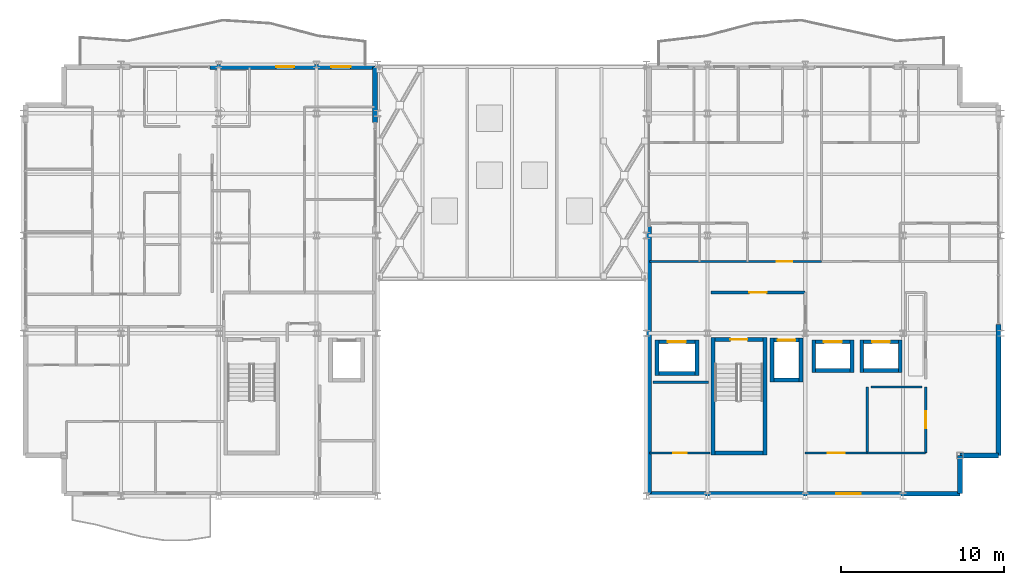
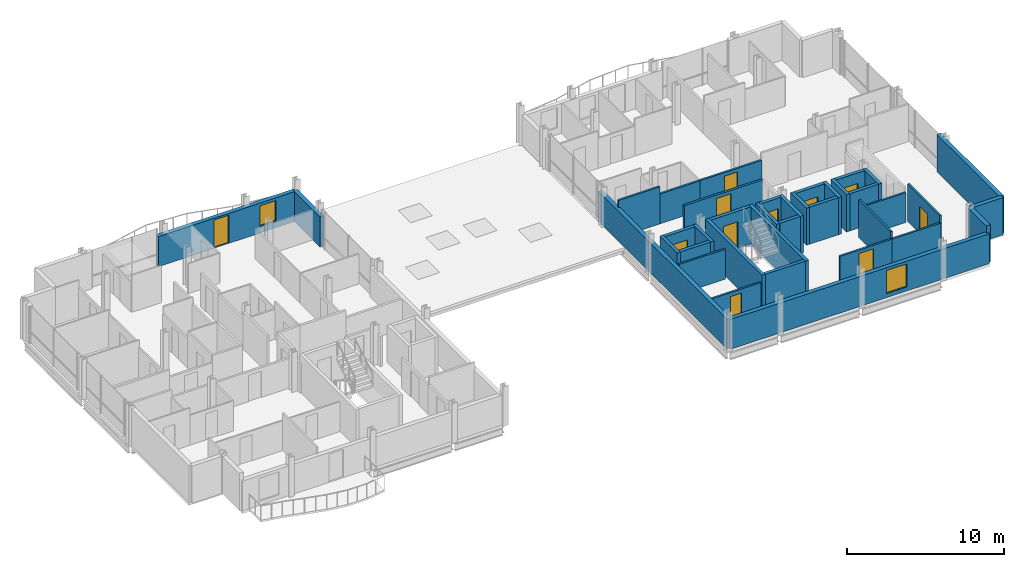
# One storey, part 29 of 33: 38 walls, 11 doors, 2 windows, 13 openings.
"""IFC4 building model written with IfcOpenShell, lengths in metres."""

from ifc_helpers import new_model, si_unit, direction, frame, frame_2d, origin, place, context, subcontext, project, spatial, rectangle, extrude, material, layer, layer_set, type_object, element, fill, save


model = new_model("IFC4")

# Units and contexts
model_context = context("Model", 3, precision=1e-05, world=origin(), true_north=direction((0.0, 1.0)))
body_context = subcontext(model_context, "Body", "Model", "MODEL_VIEW")
ifc_project = project(units=[si_unit("LENGTHUNIT", "METRE"), si_unit("AREAUNIT", "SQUARE_METRE"), si_unit("VOLUMEUNIT", "CUBIC_METRE"), si_unit("PLANEANGLEUNIT", "RADIAN"), si_unit("MASSUNIT", "GRAM", prefix="KILO")], contexts=[model_context])

# Site, building, storey
site_placement = place(None, origin())
site = spatial("IfcSite", under=ifc_project, at=site_placement, CompositionType="ELEMENT")
building_placement = place(site_placement, origin())
building = spatial("IfcBuilding", under=site, at=building_placement, Name="Brevholm Reach", CompositionType="ELEMENT")
storey_placement = place(building_placement, frame((0.0, 0.0, 189.39990234375)))
storey = spatial("IfcBuildingStorey", under=building, at=storey_placement, Name="L57", CompositionType="ELEMENT", Elevation=189.39990234375)

# Walls
ifc_material_1 = material(Name="Concrete C45/55", Category="concrete")
ifc_layer_1 = layer(ifc_material_1, 0.239990234375)
ifc_layer_set_1 = layer_set([ifc_layer_1], Name="Concrete C45/55")
wall_type_1 = type_object("IfcWallType", Name="WAL-COR-240", PredefinedType="SHEAR", material=ifc_layer_set_1)
for number, where, z_axis, x_axis, name in (
    (1, (42.330078125, 2.5400390625, 0.0), (0.0, 0.0, 1.0), (0.0, 1.0, 0.0), "L57 Escape Stair ST-2 Core Wall W"),
    (2, (45.52001953125, 2.5400390625, 0.0), (0.0, 0.0, 1.0), (0.0, 1.0, 0.0), "L57 Escape Stair ST-2 Core Wall E"),
):
    element("IfcWall", number, at=place(storey_placement, frame(where, z_axis=z_axis, x_axis=x_axis)), inside=storey, type_object=wall_type_1, Name=name, PredefinedType="SHEAR", context=body_context, shape_type="SweptSolid", body=[
        extrude(rectangle(XDim=7.199951171875, YDim=0.239990234375, at=frame_2d((3.60009765625, 0.0))), origin(), (0.0, 0.0, 1.0), 2.89013671875),
    ])
wall_1_placement = place(storey_placement, frame((42.449951171875, 2.659912109375, 0.0), z_axis=(0.0, 0.0, 1.0), x_axis=(1.0, 0.0, 0.0)))
element("IfcWall", 3, at=wall_1_placement, inside=storey, type_object=wall_type_1, Name="L57 Escape Stair ST-2 Core Wall S", PredefinedType="SHEAR", context=body_context, shape_type="SweptSolid", body=[
    extrude(rectangle(XDim=2.949951171875, YDim=0.239990234375, at=frame_2d((1.47509765625, 0.0))), origin(), (0.0, 0.0, 1.0), 2.89013671875),
])

# Wall, opening, door
wall_2_placement = place(storey_placement, frame((45.39990234375, 9.6201171875, 0.0), z_axis=(0.0, 0.0, 1.0), x_axis=(-1.0, 0.0, 0.0)))
wall_2 = element("IfcWall", 4, at=wall_2_placement, inside=storey, type_object=wall_type_1, Name="L57 Escape Stair ST-2 Core Wall N", PredefinedType="SHEAR", context=body_context, shape_type="SweptSolid", body=[
    extrude(rectangle(XDim=2.949951171875, YDim=0.239990234375, at=frame_2d((1.47509765625, 0.0))), origin(), (0.0, 0.0, 1.0), 2.89013671875),
])
opening_1_placement = place(wall_2_placement, frame((0.949951171875, 0.0, 0.0)))
opening_1 = element("IfcOpeningElement", 5, at=opening_1_placement, cuts=wall_2, Name="Opening SD-ST-2", PredefinedType="OPENING", context=body_context, shape_type="SweptSolid", body=[
    extrude(rectangle(XDim=1.050048828125, YDim=2.06005859375, at=frame_2d((0.52490234375, 1.030029296875))), frame((0.0, 0.1298828125, 0.0), z_axis=(0.0, -1.0, 0.0), x_axis=(1.0, 0.0, 0.0)), (0.0, 0.0, 1.0), 0.260009765625),
])
ifc_material_2 = material(Name="Hardwood-Lipped Steel-Core Fire and Smoke Door", Category="steel")
door_type_1 = type_object("IfcDoorType", Name="DOR-INT-FD60S", OperationType="NOTDEFINED", PredefinedType="DOOR", material=ifc_material_2)
door_1_placement = place(opening_1_placement, origin())
door_1 = element("IfcDoor", 6, at=door_1_placement, inside=storey, type_object=door_type_1, Name="L57 Protected Stair ST-2 Lobby Door", OperationType="SINGLE_SWING_RIGHT", OverallHeight=2.06005859375, OverallWidth=1.050048828125, PredefinedType="DOOR", context=body_context, shape_type="SweptSolid", body=[
    extrude(rectangle(XDim=1.050048828125, YDim=2.06005859375, at=frame_2d((0.52490234375, 1.030029296875))), frame((0.0, 0.02490234375, 0.0), z_axis=(0.0, -1.0, 0.0), x_axis=(1.0, 0.0, 0.0)), (0.0, 0.0, 1.0), 0.050048828125),
])
fill(opening_1, door_1)

# Walls
for number, where, z_axis, x_axis, name in (
    (7, (45.969970703125, 7.0, 0.0), (0.0, 0.0, 1.0), (0.0, 1.0, 0.0), "L57 Lift FFL-2 Shaft Wall W"),
    (8, (47.72998046875, 7.0, 0.0), (0.0, 0.0, 1.0), (0.0, 1.0, 0.0), "L57 Lift FFL-2 Shaft Wall E"),
):
    element("IfcWall", number, at=place(storey_placement, frame(where, z_axis=z_axis, x_axis=x_axis)), inside=storey, type_object=wall_type_1, Name=name, PredefinedType="SHEAR", context=body_context, shape_type="SweptSolid", body=[
        extrude(rectangle(XDim=2.699951171875, YDim=0.239990234375, at=frame_2d((1.35009765625, 0.0))), origin(), (0.0, 0.0, 1.0), 2.89013671875),
    ])
wall_3_placement = place(storey_placement, frame((46.090087890625, 7.1201171875, 0.0), z_axis=(0.0, 0.0, 1.0), x_axis=(1.0, 0.0, 0.0)))
element("IfcWall", 9, at=wall_3_placement, inside=storey, type_object=wall_type_1, Name="L57 Lift FFL-2 Shaft Wall S", PredefinedType="SHEAR", context=body_context, shape_type="SweptSolid", body=[
    extrude(rectangle(XDim=1.52001953125, YDim=0.239990234375, at=frame_2d((0.760009765625, 0.0))), origin(), (0.0, 0.0, 1.0), 2.89013671875),
])

# Wall, opening, door
wall_4_placement = place(storey_placement, frame((46.090087890625, 9.580078125, 0.0), z_axis=(0.0, 0.0, 1.0), x_axis=(1.0, 0.0, 0.0)))
wall_4 = element("IfcWall", 10, at=wall_4_placement, inside=storey, type_object=wall_type_1, Name="L57 Lift FFL-2 Shaft Wall N", PredefinedType="SHEAR", context=body_context, shape_type="SweptSolid", body=[
    extrude(rectangle(XDim=1.52001953125, YDim=0.239990234375, at=frame_2d((0.760009765625, 0.0))), origin(), (0.0, 0.0, 1.0), 2.89013671875),
])
opening_2_placement = place(wall_4_placement, frame((0.2099609375, 0.0, 0.0)))
opening_2 = element("IfcOpeningElement", 11, at=opening_2_placement, cuts=wall_4, Name="Opening LD-FFL-2", PredefinedType="OPENING", context=body_context, shape_type="SweptSolid", body=[
    extrude(rectangle(XDim=1.10009765625, YDim=2.06005859375, at=frame_2d((0.550048828125, 1.030029296875))), frame((0.0, 0.1298828125, 0.0), z_axis=(0.0, -1.0, 0.0), x_axis=(1.0, 0.0, 0.0)), (0.0, 0.0, 1.0), 0.260009765625),
])
ifc_material_3 = material(Name="Brushed Stainless Steel Fire-Rated Sliding Lift Door", Category="steel")
door_type_2 = type_object("IfcDoorType", Name="DOR-LFT-1100", OperationType="NOTDEFINED", PredefinedType="DOOR", material=ifc_material_3)
door_2_placement = place(opening_2_placement, origin())
door_2 = element("IfcDoor", 12, at=door_2_placement, inside=storey, type_object=door_type_2, Name="L57 Lift FFL-2 Sliding Landing Door", OperationType="SLIDING_TO_RIGHT", OverallHeight=2.06005859375, OverallWidth=1.10009765625, PredefinedType="DOOR", context=body_context, shape_type="SweptSolid", body=[
    extrude(rectangle(XDim=1.10009765625, YDim=2.06005859375, at=frame_2d((0.550048828125, 1.030029296875))), frame((0.0, 0.02490234375, 0.0), z_axis=(0.0, -1.0, 0.0), x_axis=(1.0, 0.0, 0.0)), (0.0, 0.0, 1.0), 0.050048828125),
])
fill(opening_2, door_2)

# Walls
for number, where, z_axis, x_axis, name in (
    (13, (38.889892578125, 7.39990234375, 0.0), (0.0, 0.0, 1.0), (0.0, 1.0, 0.0), "L57 Lift PL-S1 Shaft Wall W"),
    (14, (41.35009765625, 7.39990234375, 0.0), (0.0, 0.0, 1.0), (0.0, 1.0, 0.0), "L57 Lift PL-S1 Shaft Wall E"),
):
    element("IfcWall", number, at=place(storey_placement, frame(where, z_axis=z_axis, x_axis=x_axis)), inside=storey, type_object=wall_type_1, Name=name, PredefinedType="SHEAR", context=body_context, shape_type="SweptSolid", body=[
        extrude(rectangle(XDim=2.2001953125, YDim=0.239990234375, at=frame_2d((1.10009765625, 0.0))), origin(), (0.0, 0.0, 1.0), 2.89013671875),
    ])
wall_5_placement = place(storey_placement, frame((39.010009765625, 7.52001953125, 0.0), z_axis=(0.0, 0.0, 1.0), x_axis=(1.0, 0.0, 0.0)))
element("IfcWall", 15, at=wall_5_placement, inside=storey, type_object=wall_type_1, Name="L57 Lift PL-S1 Shaft Wall S", PredefinedType="SHEAR", context=body_context, shape_type="SweptSolid", body=[
    extrude(rectangle(XDim=2.219970703125, YDim=0.239990234375, at=frame_2d((1.10986328125, 0.0))), origin(), (0.0, 0.0, 1.0), 2.89013671875),
])

# Wall, opening, door
wall_6_placement = place(storey_placement, frame((39.010009765625, 9.47998046875, 0.0), z_axis=(0.0, 0.0, 1.0), x_axis=(1.0, 0.0, 0.0)))
wall_6 = element("IfcWall", 16, at=wall_6_placement, inside=storey, type_object=wall_type_1, Name="L57 Lift PL-S1 Shaft Wall N", PredefinedType="SHEAR", context=body_context, shape_type="SweptSolid", body=[
    extrude(rectangle(XDim=2.219970703125, YDim=0.239990234375, at=frame_2d((1.10986328125, 0.0))), origin(), (0.0, 0.0, 1.0), 2.89013671875),
])
opening_3_placement = place(wall_6_placement, frame((0.56005859375, 0.0, 0.0)))
opening_3 = element("IfcOpeningElement", 17, at=opening_3_placement, cuts=wall_6, Name="Opening LD-PL-S1", PredefinedType="OPENING", context=body_context, shape_type="SweptSolid", body=[
    extrude(rectangle(XDim=1.10009765625, YDim=2.06005859375, at=frame_2d((0.550048828125, 1.030029296875))), frame((0.0, 0.1298828125, 0.0), z_axis=(0.0, -1.0, 0.0), x_axis=(1.0, 0.0, 0.0)), (0.0, 0.0, 1.0), 0.260009765625),
])
door_3_placement = place(opening_3_placement, origin())
door_3 = element("IfcDoor", 18, at=door_3_placement, inside=storey, type_object=door_type_2, Name="L57 Lift PL-S1 Sliding Landing Door", OperationType="SLIDING_TO_LEFT", OverallHeight=2.06005859375, OverallWidth=1.10009765625, PredefinedType="DOOR", context=body_context, shape_type="SweptSolid", body=[
    extrude(rectangle(XDim=1.10009765625, YDim=2.06005859375, at=frame_2d((0.550048828125, 1.030029296875))), frame((0.0, 0.02490234375, 0.0), z_axis=(0.0, -1.0, 0.0), x_axis=(1.0, 0.0, 0.0)), (0.0, 0.0, 1.0), 0.050048828125),
])
fill(opening_3, door_3)

# Walls
for number, where, z_axis, x_axis, name in (
    (19, (48.52001953125, 7.60009765625, 0.0), (0.0, 0.0, 1.0), (0.0, 1.0, 0.0), "L57 Lift PL-H1 Shaft Wall W"),
    (20, (50.8798828125, 7.60009765625, 0.0), (0.0, 0.0, 1.0), (0.0, 1.0, 0.0), "L57 Lift PL-H1 Shaft Wall E"),
):
    element("IfcWall", number, at=place(storey_placement, frame(where, z_axis=z_axis, x_axis=x_axis)), inside=storey, type_object=wall_type_1, Name=name, PredefinedType="SHEAR", context=body_context, shape_type="SweptSolid", body=[
        extrude(rectangle(XDim=2.0, YDim=0.239990234375, at=frame_2d((1.0, 0.0))), origin(), (0.0, 0.0, 1.0), 2.89013671875),
    ])
wall_7_placement = place(storey_placement, frame((48.639892578125, 7.719970703125, 0.0), z_axis=(0.0, 0.0, 1.0), x_axis=(1.0, 0.0, 0.0)))
element("IfcWall", 21, at=wall_7_placement, inside=storey, type_object=wall_type_1, Name="L57 Lift PL-H1 Shaft Wall S", PredefinedType="SHEAR", context=body_context, shape_type="SweptSolid", body=[
    extrude(rectangle(XDim=2.1201171875, YDim=0.239990234375, at=frame_2d((1.06005859375, 0.0))), origin(), (0.0, 0.0, 1.0), 2.89013671875),
])

# Wall, opening, door
wall_8_placement = place(storey_placement, frame((48.639892578125, 9.47998046875, 0.0), z_axis=(0.0, 0.0, 1.0), x_axis=(1.0, 0.0, 0.0)))
wall_8 = element("IfcWall", 22, at=wall_8_placement, inside=storey, type_object=wall_type_1, Name="L57 Lift PL-H1 Shaft Wall N", PredefinedType="SHEAR", context=body_context, shape_type="SweptSolid", body=[
    extrude(rectangle(XDim=2.1201171875, YDim=0.239990234375, at=frame_2d((1.06005859375, 0.0))), origin(), (0.0, 0.0, 1.0), 2.89013671875),
])
opening_4_placement = place(wall_8_placement, frame((0.510009765625, 0.0, 0.0)))
opening_4 = element("IfcOpeningElement", 23, at=opening_4_placement, cuts=wall_8, Name="Opening LD-PL-H1", PredefinedType="OPENING", context=body_context, shape_type="SweptSolid", body=[
    extrude(rectangle(XDim=1.10009765625, YDim=2.06005859375, at=frame_2d((0.550048828125, 1.030029296875))), frame((0.0, 0.1298828125, 0.0), z_axis=(0.0, -1.0, 0.0), x_axis=(1.0, 0.0, 0.0)), (0.0, 0.0, 1.0), 0.260009765625),
])
door_4_placement = place(opening_4_placement, origin())
door_4 = element("IfcDoor", 24, at=door_4_placement, inside=storey, type_object=door_type_2, Name="L57 Lift PL-H1 Sliding Landing Door", OperationType="SLIDING_TO_RIGHT", OverallHeight=2.06005859375, OverallWidth=1.10009765625, PredefinedType="DOOR", context=body_context, shape_type="SweptSolid", body=[
    extrude(rectangle(XDim=1.10009765625, YDim=2.06005859375, at=frame_2d((0.550048828125, 1.030029296875))), frame((0.0, 0.02490234375, 0.0), z_axis=(0.0, -1.0, 0.0), x_axis=(1.0, 0.0, 0.0)), (0.0, 0.0, 1.0), 0.050048828125),
])
fill(opening_4, door_4)

# Walls
for number, where, z_axis, x_axis, name in (
    (25, (51.469970703125, 7.60009765625, 0.0), (0.0, 0.0, 1.0), (0.0, 1.0, 0.0), "L57 Lift PL-H2 Shaft Wall W"),
    (26, (53.830078125, 7.60009765625, 0.0), (0.0, 0.0, 1.0), (0.0, 1.0, 0.0), "L57 Lift PL-H2 Shaft Wall E"),
):
    element("IfcWall", number, at=place(storey_placement, frame(where, z_axis=z_axis, x_axis=x_axis)), inside=storey, type_object=wall_type_1, Name=name, PredefinedType="SHEAR", context=body_context, shape_type="SweptSolid", body=[
        extrude(rectangle(XDim=2.0, YDim=0.239990234375, at=frame_2d((1.0, 0.0))), origin(), (0.0, 0.0, 1.0), 2.89013671875),
    ])
wall_9_placement = place(storey_placement, frame((51.590087890625, 7.719970703125, 0.0), z_axis=(0.0, 0.0, 1.0), x_axis=(1.0, 0.0, 0.0)))
element("IfcWall", 27, at=wall_9_placement, inside=storey, type_object=wall_type_1, Name="L57 Lift PL-H2 Shaft Wall S", PredefinedType="SHEAR", context=body_context, shape_type="SweptSolid", body=[
    extrude(rectangle(XDim=2.119873046875, YDim=0.239990234375, at=frame_2d((1.06005859375, 0.0))), origin(), (0.0, 0.0, 1.0), 2.89013671875),
])

# Wall, opening, door
wall_10_placement = place(storey_placement, frame((51.590087890625, 9.47998046875, 0.0), z_axis=(0.0, 0.0, 1.0), x_axis=(1.0, 0.0, 0.0)))
wall_10 = element("IfcWall", 28, at=wall_10_placement, inside=storey, type_object=wall_type_1, Name="L57 Lift PL-H2 Shaft Wall N", PredefinedType="SHEAR", context=body_context, shape_type="SweptSolid", body=[
    extrude(rectangle(XDim=2.119873046875, YDim=0.239990234375, at=frame_2d((1.06005859375, 0.0))), origin(), (0.0, 0.0, 1.0), 2.89013671875),
])
opening_5_placement = place(wall_10_placement, frame((0.510009765625, 0.0, 0.0)))
opening_5 = element("IfcOpeningElement", 29, at=opening_5_placement, cuts=wall_10, Name="Opening LD-PL-H2", PredefinedType="OPENING", context=body_context, shape_type="SweptSolid", body=[
    extrude(rectangle(XDim=1.10009765625, YDim=2.06005859375, at=frame_2d((0.550048828125, 1.030029296875))), frame((0.0, 0.1298828125, 0.0), z_axis=(0.0, -1.0, 0.0), x_axis=(1.0, 0.0, 0.0)), (0.0, 0.0, 1.0), 0.260009765625),
])
door_5_placement = place(opening_5_placement, origin())
door_5 = element("IfcDoor", 30, at=door_5_placement, inside=storey, type_object=door_type_2, Name="L57 Lift PL-H2 Sliding Landing Door", OperationType="SLIDING_TO_LEFT", OverallHeight=2.06005859375, OverallWidth=1.10009765625, PredefinedType="DOOR", context=body_context, shape_type="SweptSolid", body=[
    extrude(rectangle(XDim=1.10009765625, YDim=2.06005859375, at=frame_2d((0.550048828125, 1.030029296875))), frame((0.0, 0.02490234375, 0.0), z_axis=(0.0, -1.0, 0.0), x_axis=(1.0, 0.0, 0.0)), (0.0, 0.0, 1.0), 0.050048828125),
])
fill(opening_5, door_5)

# Walls
ifc_material_4 = material(Name="Concrete C40/50", Category="concrete")
ifc_layer_2 = layer(ifc_material_4, 0.300048828125)
ifc_layer_set_2 = layer_set([ifc_layer_2], Name="Concrete C40/50")
wall_type_2 = type_object("IfcWallType", Name="WAL-EXT-300", PredefinedType="STANDARD", material=ifc_layer_set_2)
for number, where, z_axis, x_axis, name in (
    (31, (57.5, 0.14990234375, 0.0), (0.0, 0.0, 1.0), (0.0, 1.0, 0.0), "L57 Facade Wall WAL-L57-EW-CSE1"),
    (32, (57.5, 2.5, 0.0), (0.0, 0.0, 1.0), (1.0, 0.0, 0.0), "L57 Facade Wall WAL-L57-EW-CSE2"),
):
    element("IfcWall", number, at=place(storey_placement, frame(where, z_axis=z_axis, x_axis=x_axis)), inside=storey, type_object=wall_type_2, Name=name, PredefinedType="STANDARD", context=body_context, shape_type="SweptSolid", body=[
        extrude(rectangle(XDim=2.35009765625, YDim=0.300048828125, at=frame_2d((1.175048828125, 0.0))), origin(), (0.0, 0.0, 1.0), 2.89013671875),
    ])

# Wall, openings, door, window
wall_11_placement = place(storey_placement, frame((11.449951171875, 26.35009765625, 0.0), z_axis=(0.0, 0.0, 1.0), x_axis=(1.0, 0.0, 0.0)))
wall_11 = element("IfcWall", 33, at=wall_11_placement, inside=storey, type_object=wall_type_2, Name="L57 Facade Wall WAL-L57-WW-NP2", PredefinedType="STANDARD", context=body_context, shape_type="SweptSolid", body=[
    extrude(rectangle(XDim=10.150146484375, YDim=0.300048828125, at=frame_2d((5.0751953125, 0.0))), origin(), (0.0, 0.0, 1.0), 2.33203125),
])
opening_6_placement = place(wall_11_placement, frame((4.073974609375, 0.0, 0.0)))
opening_6 = element("IfcOpeningElement", 34, at=opening_6_placement, cuts=wall_11, Name="Opening BD-01", PredefinedType="OPENING", context=body_context, shape_type="SweptSolid", body=[
    extrude(rectangle(XDim=1.10009765625, YDim=2.199951171875, at=frame_2d((0.550048828125, 1.10009765625))), frame((0.0, 0.159912109375, 0.0), z_axis=(0.0, -1.0, 0.0), x_axis=(1.0, 0.0, 0.0)), (0.0, 0.0, 1.0), 0.320068359375),
])
opening_7_placement = place(wall_11_placement, frame((7.449951171875, 0.0, 0.511962890625)))
opening_7 = element("IfcOpeningElement", 35, at=opening_7_placement, cuts=wall_11, Name="Opening WN-08", PredefinedType="OPENING", context=body_context, shape_type="SweptSolid", body=[
    extrude(rectangle(XDim=1.199951171875, YDim=1.60009765625, at=frame_2d((0.60009765625, 0.800048828125))), frame((0.0, 0.159912109375, 0.0), z_axis=(0.0, -1.0, 0.0), x_axis=(1.0, 0.0, 0.0)), (0.0, 0.0, 1.0), 0.320068359375),
])
ifc_material_5 = material(Name="Dark Anodised Aluminium and Triple-Glazed Glass", Category="aluminium")
door_type_3 = type_object("IfcDoorType", Name="DOR-BALC-1100", OperationType="NOTDEFINED", PredefinedType="DOOR", material=ifc_material_5)
door_6_placement = place(opening_6_placement, origin())
door_6 = element("IfcDoor", 36, at=door_6_placement, inside=storey, type_object=door_type_3, Name="L57 Exterior Door DOR-L57-BL-NW", OperationType="SINGLE_SWING_RIGHT", OverallHeight=2.199951171875, OverallWidth=1.10009765625, PredefinedType="DOOR", context=body_context, shape_type="SweptSolid", body=[
    extrude(rectangle(XDim=1.10009765625, YDim=2.199951171875, at=frame_2d((0.550048828125, 1.10009765625))), frame((0.0, 0.02490234375, 0.0), z_axis=(0.0, -1.0, 0.0), x_axis=(1.0, 0.0, 0.0)), (0.0, 0.0, 1.0), 0.050048828125),
])
fill(opening_6, door_6)
ifc_material_6 = material(Name="Dark Anodised Aluminium and Solar-Control IGU Glass", Category="aluminium")
window_type_1 = type_object("IfcWindowType", Name="WIN-RES-1200", PartitioningType="SINGLE_PANEL", PredefinedType="WINDOW", material=ifc_material_6)
window_1_placement = place(opening_7_placement, origin())
window_1 = element("IfcWindow", 37, at=window_1_placement, inside=storey, type_object=window_type_1, Name="L57 Window WIN-L57-WW-NP2", OverallHeight=1.60009765625, OverallWidth=1.199951171875, PartitioningType="SINGLE_PANEL", PredefinedType="WINDOW", context=body_context, shape_type="SweptSolid", body=[
    extrude(rectangle(XDim=1.199951171875, YDim=1.60009765625, at=frame_2d((0.60009765625, 0.800048828125))), frame((0.0, 0.030029296875, 0.0), z_axis=(0.0, -1.0, 0.0), x_axis=(1.0, 0.0, 0.0)), (0.0, 0.0, 1.0), 0.06005859375),
])
fill(opening_7, window_1)

# Walls
wall_12_placement = place(storey_placement, frame((21.60009765625, 22.949951171875, 0.0), z_axis=(0.0, 0.0, 1.0), x_axis=(0.0, 1.0, 0.0)))
element("IfcWall", 38, at=wall_12_placement, inside=storey, type_object=wall_type_2, Name="L57 Facade Wall WAL-L57-VP-WN", PredefinedType="STANDARD", context=body_context, shape_type="SweptSolid", body=[
    extrude(rectangle(XDim=3.400146484375, YDim=0.300048828125, at=frame_2d((1.7001953125, 0.0))), origin(), (0.0, 0.0, 1.0), 2.33203125),
])
wall_13_placement = place(storey_placement, frame((38.39990234375, 16.550048828125, 0.0), z_axis=(0.0, 0.0, 1.0), x_axis=(0.0, -1.0, 0.0)))
element("IfcWall", 39, at=wall_13_placement, inside=storey, type_object=wall_type_2, Name="L57 Facade Wall WAL-L57-VP-ES", PredefinedType="STANDARD", context=body_context, shape_type="SweptSolid", body=[
    extrude(rectangle(XDim=16.400146484375, YDim=0.300048828125, at=frame_2d((8.2001953125, 0.0))), origin(), (0.0, 0.0, 1.0), 2.33203125),
])

# Wall, opening, window
wall_14_placement = place(storey_placement, frame((38.39990234375, 0.14990234375, 0.0), z_axis=(0.0, 0.0, 1.0), x_axis=(1.0, 0.0, 0.0)))
wall_14 = element("IfcWall", 40, at=wall_14_placement, inside=storey, type_object=wall_type_2, Name="L57 Facade Wall WAL-L57-EW-S", PredefinedType="STANDARD", context=body_context, shape_type="SweptSolid", body=[
    extrude(rectangle(XDim=19.10009765625, YDim=0.300048828125, at=frame_2d((9.550048828125, 0.0))), origin(), (0.0, 0.0, 1.0), 2.33203125),
])
opening_8_placement = place(wall_14_placement, frame((11.5, 0.0, 0.31201171875)))
opening_8 = element("IfcOpeningElement", 41, at=opening_8_placement, cuts=wall_14, Name="Opening WN-05", PredefinedType="OPENING", context=body_context, shape_type="SweptSolid", body=[
    extrude(rectangle(XDim=1.5, YDim=1.800048828125, at=frame_2d((0.75, 0.89990234375))), frame((0.0, 0.159912109375, 0.0), z_axis=(0.0, -1.0, 0.0), x_axis=(1.0, 0.0, 0.0)), (0.0, 0.0, 1.0), 0.320068359375),
])
ifc_material_7 = material(Name="Dark Anodised Aluminium and Solar-Control IGU Glass", Category="aluminium")
window_type_2 = type_object("IfcWindowType", Name="WIN-RES-1500", PartitioningType="SINGLE_PANEL", PredefinedType="WINDOW", material=ifc_material_7)
window_2_placement = place(opening_8_placement, origin())
window_2 = element("IfcWindow", 42, at=window_2_placement, inside=storey, type_object=window_type_2, Name="L57 Window WIN-L57-EWS-1", OverallHeight=1.800048828125, OverallWidth=1.5, PartitioningType="SINGLE_PANEL", PredefinedType="WINDOW", context=body_context, shape_type="SweptSolid", body=[
    extrude(rectangle(XDim=1.5, YDim=1.800048828125, at=frame_2d((0.75, 0.89990234375))), frame((0.0, 0.030029296875, 0.0), z_axis=(0.0, -1.0, 0.0), x_axis=(1.0, 0.0, 0.0)), (0.0, 0.0, 1.0), 0.06005859375),
])
fill(opening_8, window_2)

# Wall
wall_15_placement = place(storey_placement, frame((59.85009765625, 2.5, 0.0), z_axis=(0.0, 0.0, 1.0), x_axis=(0.0, 1.0, 0.0)))
element("IfcWall", 43, at=wall_15_placement, inside=storey, type_object=wall_type_2, Name="L57 Facade Wall WAL-L57-EW-ES", PredefinedType="STANDARD", context=body_context, shape_type="SweptSolid", body=[
    extrude(rectangle(XDim=8.050048828125, YDim=0.300048828125, at=frame_2d((4.02490234375, 0.0))), origin(), (0.0, 0.0, 1.0), 2.89013671875),
])

# Wall, opening, door
ifc_material_8 = material(Name="Twin-Stud Acoustic Fire-Rated Gypsum Partition 140 mm", Category="gypsum")
ifc_layer_3 = layer(ifc_material_8, 0.139892578125)
ifc_layer_set_3 = layer_set([ifc_layer_3], Name="Twin-Stud Acoustic Fire-Rated Gypsum Partition 140 mm")
wall_type_3 = type_object("IfcWallType", Name="WAL-PRT-140", PredefinedType="PARTITIONING", material=ifc_layer_set_3)
wall_16_placement = place(storey_placement, frame((55.39990234375, 2.64990234375, 0.0), z_axis=(0.0, 0.0, 1.0), x_axis=(0.0, 1.0, 0.0)))
wall_16 = element("IfcWall", 44, at=wall_16_placement, inside=storey, type_object=wall_type_3, Name="L57 Internal Partition 006", PredefinedType="PARTITIONING", context=body_context, shape_type="SweptSolid", body=[
    extrude(rectangle(XDim=4.061279296875, YDim=0.139892578125, at=frame_2d((2.03076171875, 0.0))), origin(), (0.0, 0.0, 1.0), 2.89013671875),
])
opening_9_placement = place(wall_16_placement, frame((1.505615234375, 0.0, 0.0)))
opening_9 = element("IfcOpeningElement", 45, at=opening_9_placement, cuts=wall_16, Name="Opening FD-01", PredefinedType="OPENING", context=body_context, shape_type="SweptSolid", body=[
    extrude(rectangle(XDim=1.050048828125, YDim=2.06005859375, at=frame_2d((0.52490234375, 1.030029296875))), frame((0.0, 0.079833984375, 0.0), z_axis=(0.0, -1.0, 0.0), x_axis=(1.0, 0.0, 0.0)), (0.0, 0.0, 1.0), 0.159912109375),
])
door_7_placement = place(opening_9_placement, origin())
door_7 = element("IfcDoor", 46, at=door_7_placement, inside=storey, type_object=door_type_1, Name="L57 Internal Door 004", OperationType="SINGLE_SWING_RIGHT", OverallHeight=2.06005859375, OverallWidth=1.050048828125, PredefinedType="DOOR", context=body_context, shape_type="SweptSolid", body=[
    extrude(rectangle(XDim=1.050048828125, YDim=2.06005859375, at=frame_2d((0.52490234375, 1.030029296875))), frame((0.0, 0.02490234375, 0.0), z_axis=(0.0, -1.0, 0.0), x_axis=(1.0, 0.0, 0.0)), (0.0, 0.0, 1.0), 0.050048828125),
])
fill(opening_9, door_7)

wall_17_placement = place(storey_placement, frame((38.449951171875, 2.64990234375, 0.0), z_axis=(0.0, 0.0, 1.0), x_axis=(1.0, 0.0, 0.0)))
wall_17 = element("IfcWall", 47, at=wall_17_placement, inside=storey, type_object=wall_type_3, Name="L57 Internal Partition 008", PredefinedType="PARTITIONING", context=body_context, shape_type="SweptSolid", body=[
    extrude(rectangle(XDim=3.71142578125, YDim=0.139892578125, at=frame_2d((1.855712890625, 0.0))), origin(), (0.0, 0.0, 1.0), 2.32568359375),
])
opening_10_placement = place(wall_17_placement, frame((1.445556640625, 0.0, 0.0)))
opening_10 = element("IfcOpeningElement", 48, at=opening_10_placement, cuts=wall_17, Name="Opening ID-02", PredefinedType="OPENING", context=body_context, shape_type="SweptSolid", body=[
    extrude(rectangle(XDim=0.820068359375, YDim=2.02001953125, at=frame_2d((0.41015625, 1.010009765625))), frame((0.0, 0.079833984375, 0.0), z_axis=(0.0, -1.0, 0.0), x_axis=(1.0, 0.0, 0.0)), (0.0, 0.0, 1.0), 0.159912109375),
])
ifc_material_9 = material(Name="Moisture-Resistant Painted Timber Fire-Rated Riser and Service Door", Category="wood")
door_type_4 = type_object("IfcDoorType", Name="DOR-SRV-820", OperationType="NOTDEFINED", PredefinedType="DOOR", material=ifc_material_9)
door_8_placement = place(opening_10_placement, origin())
door_8 = element("IfcDoor", 49, at=door_8_placement, inside=storey, type_object=door_type_4, Name="L57 Internal Door 006", OperationType="SINGLE_SWING_RIGHT", OverallHeight=2.02001953125, OverallWidth=0.820068359375, PredefinedType="DOOR", context=body_context, shape_type="SweptSolid", body=[
    extrude(rectangle(XDim=0.820068359375, YDim=2.02001953125, at=frame_2d((0.41015625, 1.010009765625))), frame((0.0, 0.02490234375, 0.0), z_axis=(0.0, -1.0, 0.0), x_axis=(1.0, 0.0, 0.0)), (0.0, 0.0, 1.0), 0.050048828125),
])
fill(opening_10, door_8)

wall_18_placement = place(storey_placement, frame((47.98876953125, 2.64990234375, 0.0), z_axis=(0.0, 0.0, 1.0), x_axis=(1.0, 0.0, 0.0)))
wall_18 = element("IfcWall", 50, at=wall_18_placement, inside=storey, type_object=wall_type_3, Name="L57 Internal Partition 009", PredefinedType="PARTITIONING", context=body_context, shape_type="SweptSolid", body=[
    extrude(rectangle(XDim=3.822509765625, YDim=0.139892578125, at=frame_2d((1.9111328125, 0.0))), origin(), (0.0, 0.0, 1.0), 2.32568359375),
])
opening_11_placement = place(wall_18_placement, frame((1.38623046875, 0.0, 0.0)))
opening_11 = element("IfcOpeningElement", 51, at=opening_11_placement, cuts=wall_18, Name="Opening FD-01", PredefinedType="OPENING", context=body_context, shape_type="SweptSolid", body=[
    extrude(rectangle(XDim=1.050048828125, YDim=2.06005859375, at=frame_2d((0.52490234375, 1.030029296875))), frame((0.0, 0.079833984375, 0.0), z_axis=(0.0, -1.0, 0.0), x_axis=(1.0, 0.0, 0.0)), (0.0, 0.0, 1.0), 0.159912109375),
])
door_9_placement = place(opening_11_placement, origin())
door_9 = element("IfcDoor", 52, at=door_9_placement, inside=storey, type_object=door_type_1, Name="L57 Internal Door 007", OperationType="SINGLE_SWING_LEFT", OverallHeight=2.06005859375, OverallWidth=1.050048828125, PredefinedType="DOOR", context=body_context, shape_type="SweptSolid", body=[
    extrude(rectangle(XDim=1.050048828125, YDim=2.06005859375, at=frame_2d((0.52490234375, 1.030029296875))), frame((0.0, 0.02490234375, 0.0), z_axis=(0.0, -1.0, 0.0), x_axis=(1.0, 0.0, 0.0)), (0.0, 0.0, 1.0), 0.050048828125),
])
fill(opening_11, door_9)

# Walls
wall_19_placement = place(storey_placement, frame((51.792724609375, 2.64990234375, 0.0), z_axis=(0.0, 0.0, 1.0), x_axis=(1.0, 0.0, 0.0)))
element("IfcWall", 53, at=wall_19_placement, inside=storey, type_object=wall_type_3, Name="L57 Internal Partition 010", PredefinedType="PARTITIONING", context=body_context, shape_type="SweptSolid", body=[
    extrude(rectangle(XDim=3.603271484375, YDim=0.139892578125, at=frame_2d((1.8017578125, 0.0))), origin(), (0.0, 0.0, 1.0), 2.32568359375),
])
wall_20_placement = place(storey_placement, frame((51.800048828125, 2.654052734375, 0.0), z_axis=(0.0, 0.0, 1.0), x_axis=(0.0, 1.0, 0.0)))
element("IfcWall", 54, at=wall_20_placement, inside=storey, type_object=wall_type_3, Name="L57 Internal Partition 012", PredefinedType="PARTITIONING", context=body_context, shape_type="SweptSolid", body=[
    extrude(rectangle(XDim=4.0458984375, YDim=0.139892578125, at=frame_2d((2.02294921875, 0.0))), origin(), (0.0, 0.0, 1.0), 2.89013671875),
])
wall_21_placement = place(storey_placement, frame((38.449951171875, 14.39990234375, 0.0), z_axis=(0.0, 0.0, 1.0), x_axis=(1.0, 0.0, 0.0)))
element("IfcWall", 55, at=wall_21_placement, inside=storey, type_object=wall_type_3, Name="L57 Internal Partition 034", PredefinedType="PARTITIONING", context=body_context, shape_type="SweptSolid", body=[
    extrude(rectangle(XDim=3.059326171875, YDim=0.139892578125, at=frame_2d((1.52978515625, 0.0))), origin(), (0.0, 0.0, 1.0), 2.89013671875),
])
wall_22_placement = place(storey_placement, frame((41.49072265625, 14.39990234375, 0.0), z_axis=(0.0, 0.0, 1.0), x_axis=(1.0, 0.0, 0.0)))
element("IfcWall", 56, at=wall_22_placement, inside=storey, type_object=wall_type_3, Name="L57 Internal Partition 035", PredefinedType="PARTITIONING", context=body_context, shape_type="SweptSolid", body=[
    extrude(rectangle(XDim=2.97265625, YDim=0.139892578125, at=frame_2d((1.486328125, 0.0))), origin(), (0.0, 0.0, 1.0), 2.32568359375),
])

# Wall, opening, door
wall_23_placement = place(storey_placement, frame((44.444580078125, 14.39990234375, 0.0), z_axis=(0.0, 0.0, 1.0), x_axis=(1.0, 0.0, 0.0)))
wall_23 = element("IfcWall", 57, at=wall_23_placement, inside=storey, type_object=wall_type_3, Name="L57 Internal Partition 036", PredefinedType="PARTITIONING", context=body_context, shape_type="SweptSolid", body=[
    extrude(rectangle(XDim=4.566650390625, YDim=0.139892578125, at=frame_2d((2.283203125, 0.0))), origin(), (0.0, 0.0, 1.0), 2.32568359375),
])
opening_12_placement = place(wall_23_placement, frame((1.808349609375, 0.0, 0.0)))
opening_12 = element("IfcOpeningElement", 58, at=opening_12_placement, cuts=wall_23, Name="Opening ID-30", PredefinedType="OPENING", context=body_context, shape_type="SweptSolid", body=[
    extrude(rectangle(XDim=0.949951171875, YDim=2.050048828125, at=frame_2d((0.47509765625, 1.02490234375))), frame((0.0, 0.079833984375, 0.0), z_axis=(0.0, -1.0, 0.0), x_axis=(1.0, 0.0, 0.0)), (0.0, 0.0, 1.0), 0.159912109375),
])
ifc_material_10 = material(Name="European Oak Veneered Solid-Core Fire Entrance Door", Category="timber")
door_type_5 = type_object("IfcDoorType", Name="DOR-FLT-FD30S", OperationType="NOTDEFINED", PredefinedType="DOOR", material=ifc_material_10)
door_10_placement = place(opening_12_placement, origin())
door_10 = element("IfcDoor", 59, at=door_10_placement, inside=storey, type_object=door_type_5, Name="L57 Internal Door 014", OperationType="SINGLE_SWING_RIGHT", OverallHeight=2.050048828125, OverallWidth=0.949951171875, PredefinedType="DOOR", context=body_context, shape_type="SweptSolid", body=[
    extrude(rectangle(XDim=0.949951171875, YDim=2.050048828125, at=frame_2d((0.47509765625, 1.02490234375))), frame((0.0, 0.02490234375, 0.0), z_axis=(0.0, -1.0, 0.0), x_axis=(1.0, 0.0, 0.0)), (0.0, 0.0, 1.0), 0.050048828125),
])
fill(opening_12, door_10)

# Walls
wall_24_placement = place(storey_placement, frame((38.639892578125, 7.0, 0.0), z_axis=(0.0, 0.0, 1.0), x_axis=(1.0, 0.0, 0.0)))
element("IfcWall", 60, at=wall_24_placement, inside=storey, type_object=wall_type_3, Name="L57 Internal Partition 090", PredefinedType="PARTITIONING", context=body_context, shape_type="SweptSolid", body=[
    extrude(rectangle(XDim=3.420166015625, YDim=0.139892578125, at=frame_2d((1.7099609375, 0.0))), origin(), (0.0, 0.0, 1.0), 2.32568359375),
])
wall_25_placement = place(storey_placement, frame((52.0400390625, 6.699951171875, 0.0), z_axis=(0.0, 0.0, 1.0), x_axis=(1.0, 0.0, 0.0)))
element("IfcWall", 61, at=wall_25_placement, inside=storey, type_object=wall_type_3, Name="L57 Internal Partition 091", PredefinedType="PARTITIONING", context=body_context, shape_type="SweptSolid", body=[
    extrude(rectangle(XDim=3.119873046875, YDim=0.139892578125, at=frame_2d((1.56005859375, 0.0))), origin(), (0.0, 0.0, 1.0), 2.32568359375),
])

# Wall, opening, door
ifc_material_11 = material(Name="Twin-Frame Fire-Rated Gypsum Board and Mineral Wool 160 mm", Category="gypsum")
ifc_layer_4 = layer(ifc_material_11, 0.159912109375)
ifc_layer_set_4 = layer_set([ifc_layer_4], Name="Twin-Frame Fire-Rated Gypsum Board and Mineral Wool 160 mm")
wall_type_4 = type_object("IfcWallType", Name="WAL-PRT-160", PredefinedType="PARTITIONING", material=ifc_layer_set_4)
wall_26_placement = place(storey_placement, frame((42.199951171875, 12.5, 0.0), z_axis=(0.0, 0.0, 1.0), x_axis=(1.0, 0.0, 0.0)))
wall_26 = element("IfcWall", 62, at=wall_26_placement, inside=storey, type_object=wall_type_4, Name="L57 Internal Partition 031", PredefinedType="PARTITIONING", context=body_context, shape_type="SweptSolid", body=[
    extrude(rectangle(XDim=5.800048828125, YDim=0.159912109375, at=frame_2d((2.89990234375, 0.0))), origin(), (0.0, 0.0, 1.0), 2.32568359375),
])
opening_13_placement = place(wall_26_placement, frame((2.375, 0.0, 0.0)))
opening_13 = element("IfcOpeningElement", 63, at=opening_13_placement, cuts=wall_26, Name="Opening FD-01", PredefinedType="OPENING", context=body_context, shape_type="SweptSolid", body=[
    extrude(rectangle(XDim=1.050048828125, YDim=2.06005859375, at=frame_2d((0.52490234375, 1.030029296875))), frame((0.0, 0.08984375, 0.0), z_axis=(0.0, -1.0, 0.0), x_axis=(1.0, 0.0, 0.0)), (0.0, 0.0, 1.0), 0.179931640625),
])
door_11_placement = place(opening_13_placement, origin())
door_11 = element("IfcDoor", 64, at=door_11_placement, inside=storey, type_object=door_type_1, Name="L57 Internal Door 013", OperationType="SINGLE_SWING_LEFT", OverallHeight=2.06005859375, OverallWidth=1.050048828125, PredefinedType="DOOR", context=body_context, shape_type="SweptSolid", body=[
    extrude(rectangle(XDim=1.050048828125, YDim=2.06005859375, at=frame_2d((0.52490234375, 1.030029296875))), frame((0.0, 0.02490234375, 0.0), z_axis=(0.0, -1.0, 0.0), x_axis=(1.0, 0.0, 0.0)), (0.0, 0.0, 1.0), 0.050048828125),
])
fill(opening_13, door_11)

save(model, "model.ifc")
